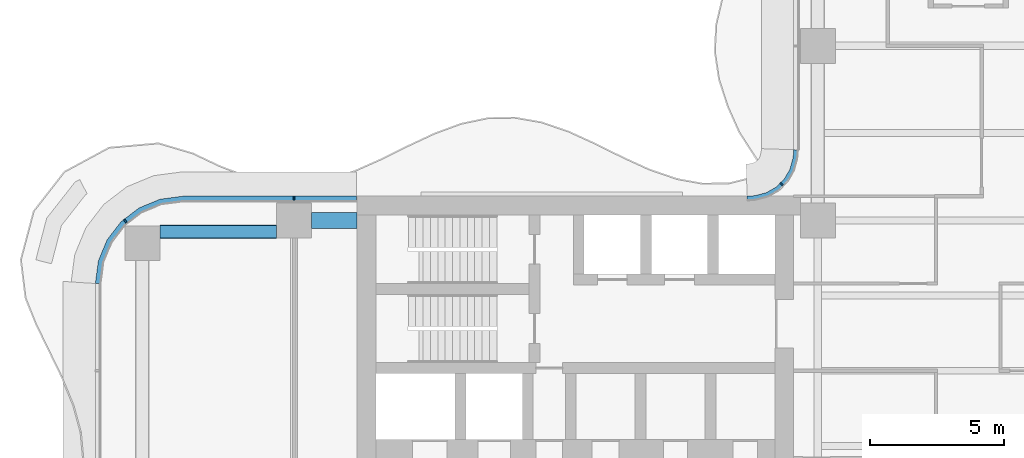
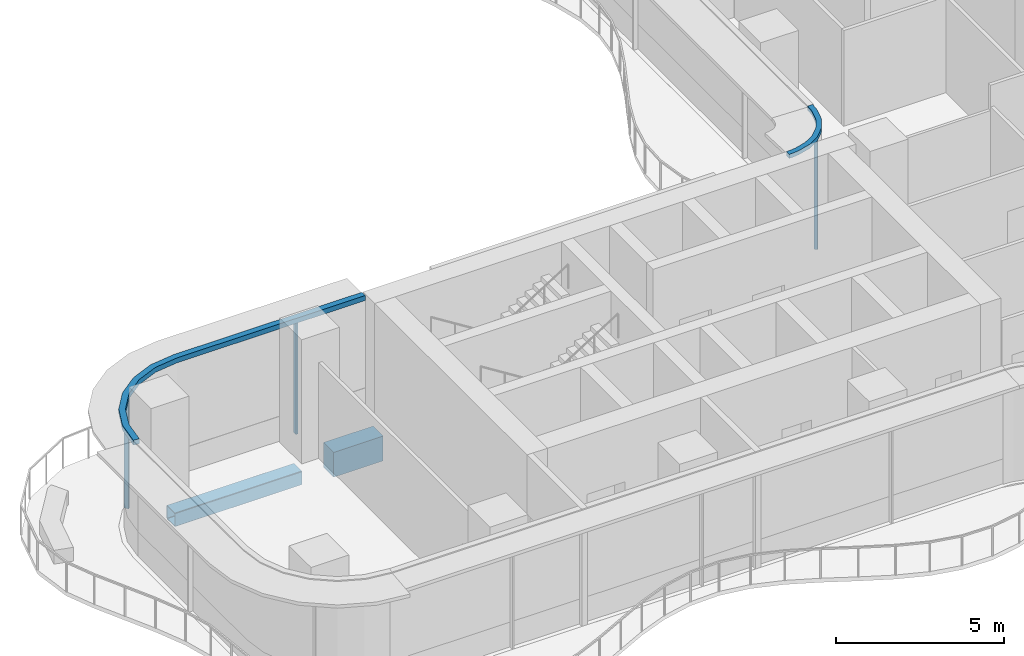
# One storey, part 8 of 21: 5 members, 2 beams, 2 elements without a shape of their own.
"""IFC4 building model written with IfcOpenShell, lengths in metres."""

from ifc_helpers import new_model, si_unit, direction, frame, origin, origin_2d, place, context, subcontext, project, spatial, polyline, rectangle, hollow_rectangle, outline, extrude, source, transform, mapped, material, layer, layer_set, material_profile, profile_set, type_object, element, aggregate, save


model = new_model("IFC4")

# Units and contexts
model_context = context("Model", 3, precision=1e-05, world=origin(), true_north=direction((0.0, 1.0)))
body_context = subcontext(model_context, "Body", "Model", "MODEL_VIEW")
ifc_project = project(units=[si_unit("LENGTHUNIT", "METRE"), si_unit("AREAUNIT", "SQUARE_METRE"), si_unit("VOLUMEUNIT", "CUBIC_METRE"), si_unit("PLANEANGLEUNIT", "RADIAN"), si_unit("MASSUNIT", "GRAM", prefix="KILO")], contexts=[model_context])

# Site, building, storey
site_placement = place(None, origin())
site = spatial("IfcSite", under=ifc_project, at=site_placement, CompositionType="ELEMENT")
building_placement = place(site_placement, origin())
building = spatial("IfcBuilding", under=site, at=building_placement, Name="Trellis Farm Tower", CompositionType="ELEMENT")
storey_placement = place(building_placement, frame((0.0, 0.0, 97.5)))
storey = spatial("IfcBuildingStorey", under=building, at=storey_placement, Name="L20", CompositionType="ELEMENT", Elevation=97.5)

# Beams
ifc_material_1 = material(Name="Steel S355", Category="steel")
ifc_material_profile_1 = material_profile(ifc_material_1, hollow_rectangle(XDim=0.5, YDim=0.5, WallThickness=0.02001953125, InnerFilletRadius=0.02001953125, OuterFilletRadius=0.030029296875, at=origin_2d()), Name="SHS 500x500x20")
ifc_profile_set_1 = profile_set([ifc_material_profile_1], Name="Steel S355")
beam_type_1 = type_object("IfcBeamType", Name="SHS 500x500x20", PredefinedType="BEAM", material=ifc_profile_set_1)
shared_shape_1 = source(origin(), body_context, "Body", "SweptSolid", [
    extrude(hollow_rectangle(XDim=0.5, YDim=0.5, WallThickness=0.02001953125, InnerFilletRadius=0.02001953125, OuterFilletRadius=0.030029296875, at=origin_2d()), origin(), (0.0, 0.0, 1.0), 4.35009765625),
])
beam_1_placement = place(storey_placement, frame((-30.10009765625, 5.175048828125, -0.5), z_axis=(1.0, 0.0, 0.0), x_axis=(0.0, 1.0, 0.0)))
element("IfcBeam", 1, at=beam_1_placement, inside=storey, type_object=beam_type_1, Name="Girder", PredefinedType="BEAM", context=body_context, shape_type="MappedRepresentation", body=[
    mapped(shared_shape_1, transform((0.0, 0.0, 0.0))),
])
ifc_material_2 = material(Name="Concrete C60/75", Category="concrete")
ifc_material_profile_2 = material_profile(ifc_material_2, rectangle(XDim=0.60009765625, YDim=0.89990234375, at=origin_2d()), Name="RC spandrel beam 600x900 C60/75")
ifc_profile_set_2 = profile_set([ifc_material_profile_2], Name="Concrete C60/75")
beam_type_2 = type_object("IfcBeamType", Name="RC spandrel beam 600x900 C60/75", PredefinedType="SPANDREL", material=ifc_profile_set_2)
shared_shape_2 = source(origin(), body_context, "Body", "SweptSolid", [
    extrude(rectangle(XDim=0.60009765625, YDim=0.89990234375, at=origin_2d()), origin(), (0.0, 0.0, 1.0), 1.699951171875),
])
beam_2_placement = place(storey_placement, frame((-24.449951171875, 5.60009765625, -0.699951171875), z_axis=(1.0, 0.0, 0.0), x_axis=(0.0, 1.0, 0.0)))
element("IfcBeam", 2, at=beam_2_placement, inside=storey, type_object=beam_type_2, Name="Girder", PredefinedType="SPANDREL", context=body_context, shape_type="MappedRepresentation", body=[
    mapped(shared_shape_2, transform((0.0, 0.0, 0.0))),
])

# Curtain wall, members
ifc_material_3 = material(Name="Aluminium and glass curtain wall", Category="aluminium")
ifc_layer_1 = layer(ifc_material_3, 0.18994140625)
ifc_layer_set_1 = layer_set([ifc_layer_1], Name="RIBBON CURTAIN WALL CW1")
curtain_wall_type_1 = type_object("IfcCurtainWallType", Name="RIBBON CURTAIN WALL CW1", PredefinedType="NOTDEFINED", material=ifc_layer_set_1)
placement = place(storey_placement, origin())
curtain_wall_1 = element("IfcCurtainWall", 3, at=placement, inside=storey, type_object=curtain_wall_type_1, Name="CW1 013", PredefinedType="NOTDEFINED")
ifc_material_4 = material(Name="Aluminium extrusion 6063-T6", Category="aluminium")
ifc_material_profile_3 = material_profile(ifc_material_4, rectangle(XDim=0.06005859375, YDim=0.14990234375, at=origin_2d()), Name="MULLION 60x150")
ifc_profile_set_3 = profile_set([ifc_material_profile_3], Name="Aluminium extrusion 6063-T6")
member_type_1 = type_object("IfcMemberType", Name="CW1 MULLION 60x150", PredefinedType="MULLION", material=ifc_profile_set_3)
shared_shape_3 = source(origin(), body_context, "Body", "SweptSolid", [
    extrude(rectangle(XDim=0.06005859375, YDim=0.14990234375, at=origin_2d()), origin(), (0.0, 0.0, 1.0), 4.070068359375),
])
member_1_placement = place(storey_placement, frame((-25.10009765625, 6.425048828125, 0.0), z_axis=(0.0, 0.0, 1.0), x_axis=(-1.0, 0.0, 0.0)))
member_1 = element("IfcMember", 4, at=member_1_placement, type_object=member_type_1, Name="MU1 013-01", PredefinedType="MULLION", context=body_context, shape_type="MappedRepresentation", body=[
    mapped(shared_shape_3, transform((0.0, 0.0, 0.0))),
])
member_2_placement = place(storey_placement, frame((-31.385498046875, 5.578369140625, 0.0), z_axis=(0.0, 0.0, 1.0), x_axis=(-0.793353340291, -0.608761429009, 0.0)))
member_2 = element("IfcMember", 5, at=member_2_placement, type_object=member_type_1, Name="MU1 013-02", PredefinedType="MULLION", context=body_context, shape_type="MappedRepresentation", body=[
    mapped(shared_shape_3, transform((0.0, 0.0, 0.0))),
])

ifc_layer_2 = layer(ifc_material_3, 0.166015625)
ifc_layer_set_2 = layer_set([ifc_layer_2], Name="WINTER GARDEN CURTAIN WALL CW3")
curtain_wall_type_2 = type_object("IfcCurtainWallType", Name="WINTER GARDEN CURTAIN WALL CW3", PredefinedType="NOTDEFINED", material=ifc_layer_set_2)
curtain_wall_2 = element("IfcCurtainWall", 6, at=placement, inside=storey, type_object=curtain_wall_type_2, Name="CW3 004", PredefinedType="NOTDEFINED")
ifc_material_profile_4 = material_profile(ifc_material_4, rectangle(XDim=0.050048828125, YDim=0.1201171875, at=origin_2d()), Name="MULLION 50x120")
ifc_profile_set_4 = profile_set([ifc_material_profile_4], Name="Aluminium extrusion 6063-T6")
member_type_2 = type_object("IfcMemberType", Name="CW3 MULLION 50x120", PredefinedType="MULLION", material=ifc_profile_set_4)
shared_shape_4 = source(origin(), body_context, "Body", "SweptSolid", [
    extrude(rectangle(XDim=0.050048828125, YDim=0.1201171875, at=origin_2d()), origin(), (0.0, 0.0, 1.0), 4.10009765625),
])
member_3_placement = place(storey_placement, frame((-6.953125, 6.953125, 0.0), z_axis=(0.0, 0.0, 1.0), x_axis=(-0.707106781187, -0.707106781187, 0.0)))
member_3 = element("IfcMember", 7, at=member_3_placement, type_object=member_type_2, Name="MU3 004-01", PredefinedType="MULLION", context=body_context, shape_type="MappedRepresentation", body=[
    mapped(shared_shape_4, transform((0.0, 0.0, 0.0))),
])
ifc_layer_3 = layer(ifc_material_4, 0.169921875)
ifc_layer_set_3 = layer_set([ifc_layer_3], Name="Aluminium extrusion 6063-T6")
member_type_3 = type_object("IfcMemberType", Name="CW3 TRANSOM 170x150", PredefinedType="USERDEFINED", material=ifc_layer_set_3)
shared_shape_5 = source(origin(), body_context, "Body", "SweptSolid", [
    extrude(outline(polyline([(-6.5, 8.2314453125), (-6.513916015625, 8.01953125), (-6.527587890625, 7.91552734375), (-6.63671875, 7.508544921875), (-6.846923828125, 7.144287109375), (-7.144287109375, 6.846923828125), (-7.508544921875, 6.63671875), (-7.91552734375, 6.527587890625), (-8.01953125, 6.513916015625), (-8.2314453125, 6.5), (-8.225830078125, 6.330078125), (-8.0029296875, 6.3447265625), (-7.88232421875, 6.360595703125), (-7.44287109375, 6.478271484375), (-7.0400390625, 6.7109375), (-6.7109375, 7.0400390625), (-6.478271484375, 7.44287109375), (-6.360595703125, 7.88232421875), (-6.3447265625, 8.0029296875), (-6.330078125, 8.225830078125), (-6.5, 8.2314453125)])), origin(), (0.0, 0.0, 1.0), 0.14990234375),
])
member_4_placement = place(storey_placement, frame((0.0, 0.0, 4.10009765625)))
member_4 = element("IfcMember", 8, at=member_4_placement, type_object=member_type_3, Name="TR3 004", ObjectType="TRANSOM", PredefinedType="USERDEFINED", context=body_context, shape_type="MappedRepresentation", body=[
    mapped(shared_shape_5, transform((0.0, 0.0, 0.0))),
])
aggregate(curtain_wall_2, [member_3, member_4])

# Member
ifc_layer_4 = layer(ifc_material_4, 0.199951171875)
ifc_layer_set_4 = layer_set([ifc_layer_4], Name="Aluminium extrusion 6063-T6")
member_type_4 = type_object("IfcMemberType", Name="CW1 TRANSOM 200x180", PredefinedType="USERDEFINED", material=ifc_layer_set_4)
shared_shape_6 = source(origin(), body_context, "Body", "SweptSolid", [
    extrude(outline(polyline([(-22.780029296875, 6.5), (-29.25, 6.5), (-30.091064453125, 6.38916015625), (-30.875, 6.064697265625), (-31.548095703125, 5.548095703125), (-32.064697265625, 4.875), (-32.38916015625, 4.091064453125), (-32.5, 3.25), (-32.300048828125, 3.23681640625), (-32.1943359375, 4.0390625), (-31.889892578125, 4.774169921875), (-31.405517578125, 5.405517578125), (-30.774169921875, 5.889892578125), (-30.0390625, 6.1943359375), (-29.23681640625, 6.300048828125), (-22.780029296875, 6.300048828125), (-22.780029296875, 6.5)])), origin(), (0.0, 0.0, 1.0), 0.179931640625),
])
member_5_placement = place(storey_placement, frame((0.0, 0.0, 4.070068359375)))
member_5 = element("IfcMember", 9, at=member_5_placement, type_object=member_type_4, Name="TR1 013", ObjectType="TRANSOM", PredefinedType="USERDEFINED", context=body_context, shape_type="MappedRepresentation", body=[
    mapped(shared_shape_6, transform((0.0, 0.0, 0.0))),
])

aggregate(curtain_wall_1, [member_1, member_2, member_5])

save(model, "model.ifc")
